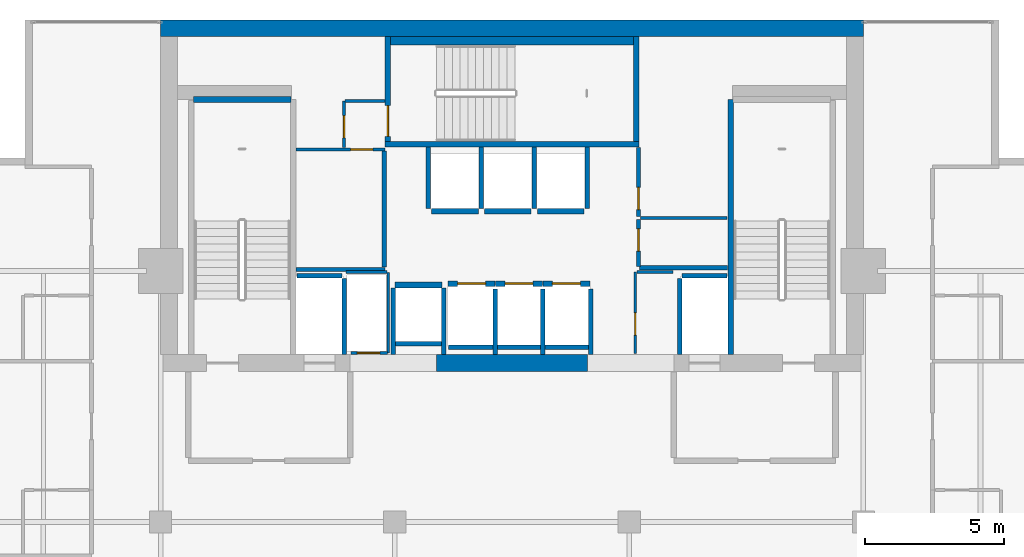
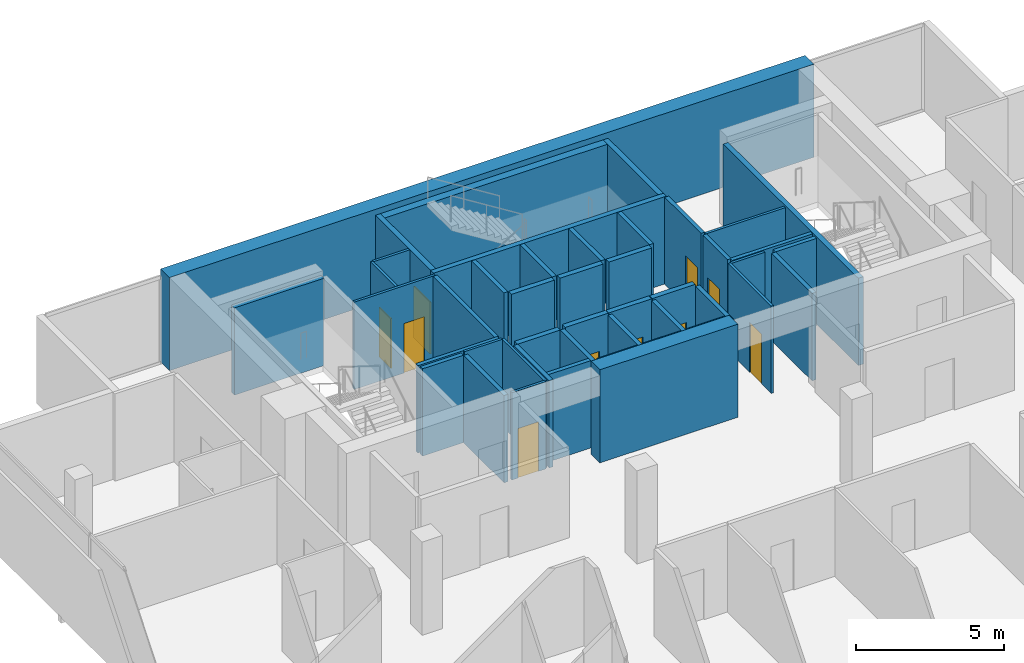
# One storey, part 22 of 25: 44 walls, 10 doors, 10 openings.
"""IFC4 building model written with IfcOpenShell, lengths in metres."""

from ifc_helpers import new_model, si_unit, direction, frame, frame_2d, origin, place, context, subcontext, project, spatial, rectangle, extrude, material, layer, layer_set, type_object, element, fill, save


model = new_model("IFC4")

# Units and contexts
model_context = context("Model", 3, precision=1e-05, world=origin(), true_north=direction((0.0, 1.0)))
body_context = subcontext(model_context, "Body", "Model", "MODEL_VIEW")
ifc_project = project(units=[si_unit("LENGTHUNIT", "METRE"), si_unit("AREAUNIT", "SQUARE_METRE"), si_unit("VOLUMEUNIT", "CUBIC_METRE"), si_unit("PLANEANGLEUNIT", "RADIAN"), si_unit("MASSUNIT", "GRAM", prefix="KILO")], contexts=[model_context])

# Site, building, storey
site_placement = place(None, origin())
site = spatial("IfcSite", under=ifc_project, at=site_placement, CompositionType="ELEMENT")
building_placement = place(site_placement, origin())
building = spatial("IfcBuilding", under=site, at=building_placement, Name="Maruvema Waterfront Hotel and Observation Tower", CompositionType="ELEMENT")
storey_placement = place(building_placement, frame((0.0, 0.0, 297.14990234375)))
storey = spatial("IfcBuildingStorey", under=building, at=storey_placement, Name="L73", CompositionType="ELEMENT", Elevation=297.14990234375)

# Walls
ifc_material_1 = material(Name="Twin-stud acoustic gypsum drywall", Category="gypsum")
ifc_layer_1 = layer(ifc_material_1, 0.14990234375, Name="Acoustic Corridor and Suite Demising Wall 150 mm")
ifc_layer_set_1 = layer_set([ifc_layer_1], Name="Twin-stud acoustic gypsum drywall")
wall_type_1 = type_object("IfcWallType", Name="Acoustic Corridor and Suite Demising Wall 150 mm", PredefinedType="PARTITIONING", material=ifc_layer_set_1)
wall_1_placement = place(storey_placement, frame((30.06005859375, 45.06005859375, 0.0), z_axis=(0.0, 0.0, 1.0), x_axis=(1.0, 0.0, 0.0)))
element("IfcWall", 1, at=wall_1_placement, inside=storey, type_object=wall_type_1, Name="L73 Freed B1 South Wall 012", PredefinedType="PARTITIONING", context=body_context, shape_type="SweptSolid", body=[
    extrude(rectangle(XDim=3.179931640625, YDim=0.14990234375, at=frame_2d((1.58984375, 0.0))), origin(), (0.0, 0.0, 1.0), 3.610107421875),
])
wall_2_placement = place(storey_placement, frame((33.219970703125, 45.139892578125, 0.0), z_axis=(0.0, 0.0, 1.0), x_axis=(0.0, 1.0, 0.0)))
element("IfcWall", 2, at=wall_2_placement, inside=storey, type_object=wall_type_1, Name="L73 Freed B1 East Wall 013", PredefinedType="PARTITIONING", context=body_context, shape_type="SweptSolid", body=[
    extrude(rectangle(XDim=4.16015625, YDim=0.14990234375, at=frame_2d((2.080078125, 0.0))), origin(), (0.0, 0.0, 1.0), 3.610107421875),
])

# Wall, opening, door
wall_3_placement = place(storey_placement, frame((42.340087890625, 45.159912109375, 0.0), z_axis=(0.0, 0.0, 1.0), x_axis=(0.0, 1.0, 0.0)))
wall_3 = element("IfcWall", 3, at=wall_3_placement, inside=storey, type_object=wall_type_1, Name="L73 Freed B2 West S 017", PredefinedType="PARTITIONING", context=body_context, shape_type="SweptSolid", body=[
    extrude(rectangle(XDim=1.68017578125, YDim=0.14990234375, at=frame_2d((0.840087890625, 0.0))), origin(), (0.0, 0.0, 1.0), 3.610107421875),
])
opening_1_placement = place(wall_3_placement, frame((0.550048828125, 0.0, 0.0)))
opening_1 = element("IfcOpeningElement", 4, at=opening_1_placement, cuts=wall_3, Name="Opening DR-080", PredefinedType="OPENING", context=body_context, shape_type="SweptSolid", body=[
    extrude(rectangle(XDim=0.800048828125, YDim=2.050048828125, at=frame_2d((0.39990234375, 1.02490234375))), frame((0.0, 0.0849609375, 0.0), z_axis=(0.0, -1.0, 0.0), x_axis=(1.0, 0.0, 0.0)), (0.0, 0.0, 1.0), 0.169921875),
])
ifc_material_2 = material(Name="Powder-coated steel access leaf", Category="steel")
door_type_1 = type_object("IfcDoorType", Name="Riser and Service Cupboard Door 800x2050 mm", OperationType="NOTDEFINED", PredefinedType="DOOR", material=ifc_material_2)
door_1_placement = place(opening_1_placement, frame((0.800048828125, 0.0, 0.0), z_axis=(0.0, 0.0, 1.0), x_axis=(-1.0, 0.0, 0.0)))
door_1 = element("IfcDoor", 5, at=door_1_placement, inside=storey, type_object=door_type_1, Name="L73 Butler Service Pantry Door", OperationType="SINGLE_SWING_LEFT", OverallHeight=2.050048828125, OverallWidth=0.800048828125, PredefinedType="DOOR", context=body_context, shape_type="SweptSolid", body=[
    extrude(rectangle(XDim=0.800048828125, YDim=2.050048828125, at=frame_2d((0.39990234375, 1.02490234375))), frame((0.0, 0.02490234375, 0.0), z_axis=(0.0, -1.0, 0.0), x_axis=(1.0, 0.0, 0.0)), (0.0, 0.0, 1.0), 0.050048828125),
])
fill(opening_1, door_1)

wall_4_placement = place(storey_placement, frame((42.340087890625, 46.9599609375, 0.0), z_axis=(0.0, 0.0, 1.0), x_axis=(0.0, 1.0, 0.0)))
wall_4 = element("IfcWall", 6, at=wall_4_placement, inside=storey, type_object=wall_type_1, Name="L73 Freed B2 West N 018", PredefinedType="PARTITIONING", context=body_context, shape_type="SweptSolid", body=[
    extrude(rectangle(XDim=2.4599609375, YDim=0.14990234375, at=frame_2d((1.22998046875, 0.0))), origin(), (0.0, 0.0, 1.0), 3.610107421875),
])
opening_2_placement = place(wall_4_placement, frame((0.239990234375, 0.0, 0.0)))
opening_2 = element("IfcOpeningElement", 7, at=opening_2_placement, cuts=wall_4, Name="Opening DR-080", PredefinedType="OPENING", context=body_context, shape_type="SweptSolid", body=[
    extrude(rectangle(XDim=0.800048828125, YDim=2.050048828125, at=frame_2d((0.39990234375, 1.02490234375))), frame((0.0, 0.0849609375, 0.0), z_axis=(0.0, -1.0, 0.0), x_axis=(1.0, 0.0, 0.0)), (0.0, 0.0, 1.0), 0.169921875),
])
door_2_placement = place(opening_2_placement, frame((0.800048828125, 0.0, 0.0), z_axis=(0.0, 0.0, 1.0), x_axis=(-1.0, 0.0, 0.0)))
door_2 = element("IfcDoor", 8, at=door_2_placement, inside=storey, type_object=door_type_1, Name="L73 Core IT and Linen Store Door", OperationType="SINGLE_SWING_RIGHT", OverallHeight=2.050048828125, OverallWidth=0.800048828125, PredefinedType="DOOR", context=body_context, shape_type="SweptSolid", body=[
    extrude(rectangle(XDim=0.800048828125, YDim=2.050048828125, at=frame_2d((0.39990234375, 1.02490234375))), frame((0.0, 0.02490234375, 0.0), z_axis=(0.0, -1.0, 0.0), x_axis=(1.0, 0.0, 0.0)), (0.0, 0.0, 1.0), 0.050048828125),
])
fill(opening_2, door_2)

# Walls
wall_5_placement = place(storey_placement, frame((42.3798828125, 45.1201171875, 0.0), z_axis=(0.0, 0.0, 1.0), x_axis=(1.0, 0.0, 0.0)))
element("IfcWall", 9, at=wall_5_placement, inside=storey, type_object=wall_type_1, Name="L73 Freed B2 South Wall 020", PredefinedType="PARTITIONING", context=body_context, shape_type="SweptSolid", body=[
    extrude(rectangle(XDim=3.14013671875, YDim=0.14990234375, at=frame_2d((1.570068359375, 0.0))), origin(), (0.0, 0.0, 1.0), 3.610107421875),
])
ifc_material_3 = material(Name="Precast concrete C45/55", Category="concrete")
ifc_layer_2 = layer(ifc_material_3, 0.300048828125, Name="Core Shaft Furring Wall 300 mm")
ifc_layer_set_2 = layer_set([ifc_layer_2], Name="Precast concrete C45/55")
wall_type_2 = type_object("IfcWallType", Name="Core Shaft Furring Wall 300 mm", PredefinedType="SOLIDWALL", material=ifc_layer_set_2)
wall_6_placement = place(storey_placement, frame((33.449951171875, 53.25, 0.0), z_axis=(0.0, 0.0, 1.0), x_axis=(1.0, 0.0, 0.0)))
element("IfcWall", 10, at=wall_6_placement, inside=storey, type_object=wall_type_2, Name="L73 Stairwell ST-02 North Furring Wall", PredefinedType="SOLIDWALL", context=body_context, shape_type="SweptSolid", body=[
    extrude(rectangle(XDim=8.699951171875, YDim=0.300048828125, at=frame_2d((4.35009765625, 0.0))), origin(), (0.0, 0.0, 1.0), 3.610107421875),
])
ifc_material_4 = material(Name="Precast concrete C45/55", Category="concrete")
ifc_layer_3 = layer(ifc_material_4, 0.199951171875, Name="Core Shaft and Stairwell Enclosure Wall 200 mm")
ifc_layer_set_3 = layer_set([ifc_layer_3], Name="Precast concrete C45/55")
wall_type_3 = type_object("IfcWallType", Name="Core Shaft and Stairwell Enclosure Wall 200 mm", PredefinedType="SOLIDWALL", material=ifc_layer_set_3)
wall_7_placement = place(storey_placement, frame((26.3798828125, 51.14990234375, 0.0), z_axis=(0.0, 0.0, 1.0), x_axis=(1.0, 0.0, 0.0)))
element("IfcWall", 11, at=wall_7_placement, inside=storey, type_object=wall_type_3, Name="L73 Stairwell ST-01 Shaft Lining Wall", PredefinedType="SOLIDWALL", context=body_context, shape_type="SweptSolid", body=[
    extrude(rectangle(XDim=3.5, YDim=0.199951171875, at=frame_2d((1.75, 0.0))), origin(), (0.0, 0.0, 1.0), 3.610107421875),
])
wall_8_placement = place(storey_placement, frame((33.25, 49.550048828125, 0.0), z_axis=(0.0, 0.0, 1.0), x_axis=(1.0, 0.0, 0.0)))
element("IfcWall", 12, at=wall_8_placement, inside=storey, type_object=wall_type_3, Name="L73 Stairwell ST-02 Shaft Wall", PredefinedType="SOLIDWALL", context=body_context, shape_type="SweptSolid", body=[
    extrude(rectangle(XDim=9.10009765625, YDim=0.199951171875, at=frame_2d((4.550048828125, 0.0))), origin(), (0.0, 0.0, 1.0), 3.610107421875),
])
wall_9_placement = place(storey_placement, frame((42.25, 49.64990234375, 0.0), z_axis=(0.0, 0.0, 1.0), x_axis=(0.0, 1.0, 0.0)))
element("IfcWall", 13, at=wall_9_placement, inside=storey, type_object=wall_type_3, Name="L73 Stairwell ST-02 Shaft Wall", PredefinedType="SOLIDWALL", context=body_context, shape_type="SweptSolid", body=[
    extrude(rectangle(XDim=3.75, YDim=0.199951171875, at=frame_2d((1.875, 0.0))), origin(), (0.0, 0.0, 1.0), 3.610107421875),
])

# Wall, opening, door
wall_10_placement = place(storey_placement, frame((33.35009765625, 49.64990234375, 0.0), z_axis=(0.0, 0.0, 1.0), x_axis=(0.0, 1.0, 0.0)))
wall_10 = element("IfcWall", 14, at=wall_10_placement, inside=storey, type_object=wall_type_3, Name="L73 Stairwell ST-02 Shaft Wall", PredefinedType="SOLIDWALL", context=body_context, shape_type="SweptSolid", body=[
    extrude(rectangle(XDim=3.75, YDim=0.199951171875, at=frame_2d((1.875, 0.0))), origin(), (0.0, 0.0, 1.0), 3.610107421875),
])
opening_3_placement = place(wall_10_placement, frame((0.179931640625, 0.0, 0.0)))
opening_3 = element("IfcOpeningElement", 15, at=opening_3_placement, cuts=wall_10, Name="Opening SD-02", PredefinedType="OPENING", context=body_context, shape_type="SweptSolid", body=[
    extrude(rectangle(XDim=1.10009765625, YDim=2.14990234375, at=frame_2d((0.550048828125, 1.074951171875))), frame((0.0, 0.10986328125, 0.0), z_axis=(0.0, -1.0, 0.0), x_axis=(1.0, 0.0, 0.0)), (0.0, 0.0, 1.0), 0.219970703125),
])
ifc_material_5 = material(Name="Fire-rated galvanised steel leaf", Category="steel")
door_type_2 = type_object("IfcDoorType", Name="Central Exit Stair Fire Door 1100x2150 mm", OperationType="NOTDEFINED", PredefinedType="DOOR", material=ifc_material_5)
door_3_placement = place(opening_3_placement, frame((1.10009765625, 0.0, 0.0), z_axis=(0.0, 0.0, 1.0), x_axis=(-1.0, 0.0, 0.0)))
door_3 = element("IfcDoor", 16, at=door_3_placement, inside=storey, type_object=door_type_2, Name="L73 Exit Stair ST-02 Fire Door", OperationType="SINGLE_SWING_LEFT", OverallHeight=2.14990234375, OverallWidth=1.10009765625, PredefinedType="DOOR", context=body_context, shape_type="SweptSolid", body=[
    extrude(rectangle(XDim=1.10009765625, YDim=2.14990234375, at=frame_2d((0.550048828125, 1.074951171875))), frame((0.0, 0.02490234375, 0.0), z_axis=(0.0, -1.0, 0.0), x_axis=(1.0, 0.0, 0.0)), (0.0, 0.0, 1.0), 0.050048828125),
])
fill(opening_3, door_3)

# Wall
wall_11_placement = place(storey_placement, frame((45.64990234375, 42.0, 0.0), z_axis=(0.0, 0.0, 1.0), x_axis=(0.0, 1.0, 0.0)))
element("IfcWall", 17, at=wall_11_placement, inside=storey, type_object=wall_type_3, Name="L73 Stairwell ST-03 West Shaft Wall", PredefinedType="SOLIDWALL", context=body_context, shape_type="SweptSolid", body=[
    extrude(rectangle(XDim=9.14990234375, YDim=0.199951171875, at=frame_2d((4.574951171875, 0.0))), origin(), (0.0, 0.0, 1.0), 3.610107421875),
])

# Wall, opening, door
wall_12_placement = place(storey_placement, frame((35.510009765625, 44.550048828125, 0.0), z_axis=(0.0, 0.0, 1.0), x_axis=(1.0, 0.0, 0.0)))
wall_12 = element("IfcWall", 18, at=wall_12_placement, inside=storey, type_object=wall_type_3, Name="L73 Lift LF-09 Hoistway Front Wall", PredefinedType="SOLIDWALL", context=body_context, shape_type="SweptSolid", body=[
    extrude(rectangle(XDim=1.679931640625, YDim=0.199951171875, at=frame_2d((0.83984375, 0.0))), origin(), (0.0, 0.0, 1.0), 3.610107421875),
])
opening_4_placement = place(wall_12_placement, frame((0.340087890625, 0.0, 0.0)))
opening_4 = element("IfcOpeningElement", 19, at=opening_4_placement, cuts=wall_12, Name="Opening LD-01", PredefinedType="OPENING", context=body_context, shape_type="SweptSolid", body=[
    extrude(rectangle(XDim=1.0, YDim=2.14990234375, at=frame_2d((0.5, 1.074951171875))), frame((0.0, 0.10986328125, 0.0), z_axis=(0.0, -1.0, 0.0), x_axis=(1.0, 0.0, 0.0)), (0.0, 0.0, 1.0), 0.219970703125),
])
ifc_material_6 = material(Name="Brushed stainless steel Grade 316", Category="steel")
door_type_3 = type_object("IfcDoorType", Name="Passenger Lift Sliding Landing Door 1000x2150 mm", OperationType="SLIDING_TO_LEFT", PredefinedType="DOOR", material=ifc_material_6)
door_4_placement = place(opening_4_placement, origin())
door_4 = element("IfcDoor", 20, at=door_4_placement, inside=storey, type_object=door_type_3, Name="L73 Lift LF-09 Sliding Landing Door", OperationType="SLIDING_TO_LEFT", OverallHeight=2.14990234375, OverallWidth=1.0, PredefinedType="DOOR", context=body_context, shape_type="SweptSolid", body=[
    extrude(rectangle(XDim=1.0, YDim=2.14990234375, at=frame_2d((0.5, 1.074951171875))), frame((0.0, 0.02490234375, 0.0), z_axis=(0.0, -1.0, 0.0), x_axis=(1.0, 0.0, 0.0)), (0.0, 0.0, 1.0), 0.050048828125),
])
fill(opening_4, door_4)

wall_13_placement = place(storey_placement, frame((37.2099609375, 44.550048828125, 0.0), z_axis=(0.0, 0.0, 1.0), x_axis=(1.0, 0.0, 0.0)))
wall_13 = element("IfcWall", 21, at=wall_13_placement, inside=storey, type_object=wall_type_3, Name="L73 Lift LF-10 Hoistway Front Wall", PredefinedType="SOLIDWALL", context=body_context, shape_type="SweptSolid", body=[
    extrude(rectangle(XDim=1.679931640625, YDim=0.199951171875, at=frame_2d((0.83984375, 0.0))), origin(), (0.0, 0.0, 1.0), 3.610107421875),
])
opening_5_placement = place(wall_13_placement, frame((0.340087890625, 0.0, 0.0)))
opening_5 = element("IfcOpeningElement", 22, at=opening_5_placement, cuts=wall_13, Name="Opening LD-01", PredefinedType="OPENING", context=body_context, shape_type="SweptSolid", body=[
    extrude(rectangle(XDim=1.0, YDim=2.14990234375, at=frame_2d((0.5, 1.074951171875))), frame((0.0, 0.10986328125, 0.0), z_axis=(0.0, -1.0, 0.0), x_axis=(1.0, 0.0, 0.0)), (0.0, 0.0, 1.0), 0.219970703125),
])
door_5_placement = place(opening_5_placement, origin())
door_5 = element("IfcDoor", 23, at=door_5_placement, inside=storey, type_object=door_type_3, Name="L73 Lift LF-10 Sliding Landing Door", OperationType="SLIDING_TO_LEFT", OverallHeight=2.14990234375, OverallWidth=1.0, PredefinedType="DOOR", context=body_context, shape_type="SweptSolid", body=[
    extrude(rectangle(XDim=1.0, YDim=2.14990234375, at=frame_2d((0.5, 1.074951171875))), frame((0.0, 0.02490234375, 0.0), z_axis=(0.0, -1.0, 0.0), x_axis=(1.0, 0.0, 0.0)), (0.0, 0.0, 1.0), 0.050048828125),
])
fill(opening_5, door_5)

wall_14_placement = place(storey_placement, frame((38.909912109375, 44.550048828125, 0.0), z_axis=(0.0, 0.0, 1.0), x_axis=(1.0, 0.0, 0.0)))
wall_14 = element("IfcWall", 24, at=wall_14_placement, inside=storey, type_object=wall_type_3, Name="L73 Lift LF-11 Hoistway Front Wall", PredefinedType="SOLIDWALL", context=body_context, shape_type="SweptSolid", body=[
    extrude(rectangle(XDim=1.68017578125, YDim=0.199951171875, at=frame_2d((0.840087890625, 0.0))), origin(), (0.0, 0.0, 1.0), 3.610107421875),
])
opening_6_placement = place(wall_14_placement, frame((0.340087890625, 0.0, 0.0)))
opening_6 = element("IfcOpeningElement", 25, at=opening_6_placement, cuts=wall_14, Name="Opening LD-01", PredefinedType="OPENING", context=body_context, shape_type="SweptSolid", body=[
    extrude(rectangle(XDim=1.0, YDim=2.14990234375, at=frame_2d((0.5, 1.074951171875))), frame((0.0, 0.10986328125, 0.0), z_axis=(0.0, -1.0, 0.0), x_axis=(1.0, 0.0, 0.0)), (0.0, 0.0, 1.0), 0.219970703125),
])
door_6_placement = place(opening_6_placement, origin())
door_6 = element("IfcDoor", 26, at=door_6_placement, inside=storey, type_object=door_type_3, Name="L73 Lift LF-11 Sliding Landing Door", OperationType="SLIDING_TO_LEFT", OverallHeight=2.14990234375, OverallWidth=1.0, PredefinedType="DOOR", context=body_context, shape_type="SweptSolid", body=[
    extrude(rectangle(XDim=1.0, YDim=2.14990234375, at=frame_2d((0.5, 1.074951171875))), frame((0.0, 0.02490234375, 0.0), z_axis=(0.0, -1.0, 0.0), x_axis=(1.0, 0.0, 0.0)), (0.0, 0.0, 1.0), 0.050048828125),
])
fill(opening_6, door_6)

# Walls
wall_15_placement = place(storey_placement, frame((34.909912109375, 47.14990234375, 0.0), z_axis=(0.0, 0.0, 1.0), x_axis=(1.0, 0.0, 0.0)))
element("IfcWall", 27, at=wall_15_placement, inside=storey, type_object=wall_type_3, Name="L73 Lift LF-12 Hoistway Front Wall", PredefinedType="SOLIDWALL", context=body_context, shape_type="SweptSolid", body=[
    extrude(rectangle(XDim=1.68017578125, YDim=0.199951171875, at=frame_2d((0.840087890625, 0.0))), origin(), (0.0, 0.0, 1.0), 3.610107421875),
])
for number, where, z_axis, x_axis, name in (
    (28, (36.81005859375, 47.14990234375, 0.0), (0.0, 0.0, 1.0), (1.0, 0.0, 0.0), "L73 Lift LF-13 Hoistway Front Wall"),
    (29, (38.7099609375, 47.14990234375, 0.0), (0.0, 0.0, 1.0), (1.0, 0.0, 0.0), "L73 Lift LF-14 Hoistway Front Wall"),
    (30, (33.610107421875, 44.5, 0.0), (0.0, 0.0, 1.0), (1.0, 0.0, 0.0), "L73 Lift LF-15 Hoistway Front Wall"),
):
    element("IfcWall", number, at=place(storey_placement, frame(where, z_axis=z_axis, x_axis=x_axis)), inside=storey, type_object=wall_type_3, Name=name, PredefinedType="SOLIDWALL", context=body_context, shape_type="SweptSolid", body=[
        extrude(rectangle(XDim=1.679931640625, YDim=0.199951171875, at=frame_2d((0.83984375, 0.0))), origin(), (0.0, 0.0, 1.0), 3.610107421875),
    ])
ifc_material_7 = material(Name="Concrete C60/75", Category="concrete")
ifc_layer_4 = layer(ifc_material_7, 0.60009765625, Name="Core Shear Wall 600 mm")
ifc_layer_set_4 = layer_set([ifc_layer_4], Name="Concrete C60/75")
wall_type_4 = type_object("IfcWallType", Name="Core Shear Wall 600 mm", PredefinedType="SHEAR", material=ifc_layer_set_4)
wall_16_placement = place(storey_placement, frame((25.199951171875, 53.699951171875, 0.0), z_axis=(0.0, 0.0, 1.0), x_axis=(1.0, 0.0, 0.0)))
element("IfcWall", 31, at=wall_16_placement, inside=storey, type_object=wall_type_4, Name="L73 North Core Shear Wall", PredefinedType="SHEAR", context=body_context, shape_type="SweptSolid", body=[
    extrude(rectangle(XDim=25.199951171875, YDim=0.60009765625, at=frame_2d((12.60009765625, 0.0))), origin(), (0.0, 0.0, 1.0), 3.85009765625),
])
wall_17_placement = place(storey_placement, frame((35.10009765625, 41.699951171875, 0.0), z_axis=(0.0, 0.0, 1.0), x_axis=(1.0, 0.0, 0.0)))
element("IfcWall", 32, at=wall_17_placement, inside=storey, type_object=wall_type_4, Name="L73 South-Central Core Shear Wall", PredefinedType="SHEAR", context=body_context, shape_type="SweptSolid", body=[
    extrude(rectangle(XDim=5.39990234375, YDim=0.60009765625, at=frame_2d((2.699951171875, 0.0))), origin(), (0.0, 0.0, 1.0), 3.85009765625),
])

# Wall, opening, door
ifc_material_8 = material(Name="Moisture-resistant cement-board drywall", Category="gypsum")
ifc_layer_5 = layer(ifc_material_8, 0.10009765625, Name="En-Suite Moisture-Resistant Partition 100 mm")
ifc_layer_set_5 = layer_set([ifc_layer_5], Name="Moisture-resistant cement-board drywall")
wall_type_5 = type_object("IfcWallType", Name="En-Suite Moisture-Resistant Partition 100 mm", PredefinedType="PARTITIONING", material=ifc_layer_set_5)
wall_18_placement = place(storey_placement, frame((32.02001953125, 42.06005859375, 0.0), z_axis=(0.0, 0.0, 1.0), x_axis=(1.0, 0.0, 0.0)))
wall_18 = element("IfcWall", 33, at=wall_18_placement, inside=storey, type_object=wall_type_5, Name="L73 Telecom Riser South Wall 007", PredefinedType="PARTITIONING", context=body_context, shape_type="SweptSolid", body=[
    extrude(rectangle(XDim=1.320068359375, YDim=0.10009765625, at=frame_2d((0.66015625, 0.0))), origin(), (0.0, 0.0, 1.0), 3.610107421875),
])
opening_7_placement = place(wall_18_placement, frame((0.239990234375, 0.0, 0.0)))
opening_7 = element("IfcOpeningElement", 34, at=opening_7_placement, cuts=wall_18, Name="Opening DR-080", PredefinedType="OPENING", context=body_context, shape_type="SweptSolid", body=[
    extrude(rectangle(XDim=0.800048828125, YDim=2.050048828125, at=frame_2d((0.39990234375, 1.02490234375))), frame((0.0, 0.06005859375, 0.0), z_axis=(0.0, -1.0, 0.0), x_axis=(1.0, 0.0, 0.0)), (0.0, 0.0, 1.0), 0.1201171875),
])
door_7_placement = place(opening_7_placement, frame((0.800048828125, 0.0, 0.0), z_axis=(0.0, 0.0, 1.0), x_axis=(-1.0, 0.0, 0.0)))
door_7 = element("IfcDoor", 35, at=door_7_placement, inside=storey, type_object=door_type_1, Name="L73 Telecom Riser Door", OperationType="SINGLE_SWING_LEFT", OverallHeight=2.050048828125, OverallWidth=0.800048828125, PredefinedType="DOOR", context=body_context, shape_type="SweptSolid", body=[
    extrude(rectangle(XDim=0.800048828125, YDim=2.050048828125, at=frame_2d((0.39990234375, 1.02490234375))), frame((0.0, 0.02490234375, 0.0), z_axis=(0.0, -1.0, 0.0), x_axis=(1.0, 0.0, 0.0)), (0.0, 0.0, 1.0), 0.050048828125),
])
fill(opening_7, door_7)

# Walls
wall_19_placement = place(storey_placement, frame((31.840087890625, 44.9599609375, 0.0), z_axis=(0.0, 0.0, 1.0), x_axis=(1.0, 0.0, 0.0)))
element("IfcWall", 36, at=wall_19_placement, inside=storey, type_object=wall_type_5, Name="L73 Telecom Riser North Wall 008", PredefinedType="PARTITIONING", context=body_context, shape_type="SweptSolid", body=[
    extrude(rectangle(XDim=1.47998046875, YDim=0.10009765625, at=frame_2d((0.739990234375, 0.0))), origin(), (0.0, 0.0, 1.0), 3.610107421875),
])
wall_20_placement = place(storey_placement, frame((33.360107421875, 42.06005859375, 0.0), z_axis=(0.0, 0.0, 1.0), x_axis=(0.0, 1.0, 0.0)))
element("IfcWall", 37, at=wall_20_placement, inside=storey, type_object=wall_type_5, Name="L73 Telecom Riser East Wall 009", PredefinedType="PARTITIONING", context=body_context, shape_type="SweptSolid", body=[
    extrude(rectangle(XDim=2.8798828125, YDim=0.10009765625, at=frame_2d((1.43994140625, 0.0))), origin(), (0.0, 0.0, 1.0), 3.610107421875),
])

# Wall, opening, door
wall_21_placement = place(storey_placement, frame((42.219970703125, 42.050048828125, 0.0), z_axis=(0.0, 0.0, 1.0), x_axis=(0.0, 1.0, 0.0)))
wall_21 = element("IfcWall", 38, at=wall_21_placement, inside=storey, type_object=wall_type_5, Name="L73 Core Closet K1 West 010", PredefinedType="PARTITIONING", context=body_context, shape_type="SweptSolid", body=[
    extrude(rectangle(XDim=2.909912109375, YDim=0.10009765625, at=frame_2d((1.455078125, 0.0))), origin(), (0.0, 0.0, 1.0), 3.610107421875),
])
opening_8_placement = place(wall_21_placement, frame((0.64990234375, 0.0, 0.0)))
opening_8 = element("IfcOpeningElement", 39, at=opening_8_placement, cuts=wall_21, Name="Opening DR-080", PredefinedType="OPENING", context=body_context, shape_type="SweptSolid", body=[
    extrude(rectangle(XDim=0.800048828125, YDim=2.050048828125, at=frame_2d((0.39990234375, 1.02490234375))), frame((0.0, 0.06005859375, 0.0), z_axis=(0.0, -1.0, 0.0), x_axis=(1.0, 0.0, 0.0)), (0.0, 0.0, 1.0), 0.1201171875),
])
door_8_placement = place(opening_8_placement, frame((0.800048828125, 0.0, 0.0), z_axis=(0.0, 0.0, 1.0), x_axis=(-1.0, 0.0, 0.0)))
door_8 = element("IfcDoor", 40, at=door_8_placement, inside=storey, type_object=door_type_1, Name="L73 Core Cleaning Store Door", OperationType="SINGLE_SWING_RIGHT", OverallHeight=2.050048828125, OverallWidth=0.800048828125, PredefinedType="DOOR", context=body_context, shape_type="SweptSolid", body=[
    extrude(rectangle(XDim=0.800048828125, YDim=2.050048828125, at=frame_2d((0.39990234375, 1.02490234375))), frame((0.0, 0.02490234375, 0.0), z_axis=(0.0, -1.0, 0.0), x_axis=(1.0, 0.0, 0.0)), (0.0, 0.0, 1.0), 0.050048828125),
])
fill(opening_8, door_8)

# Wall
wall_22_placement = place(storey_placement, frame((42.280029296875, 44.9599609375, 0.0), z_axis=(0.0, 0.0, 1.0), x_axis=(1.0, 0.0, 0.0)))
element("IfcWall", 41, at=wall_22_placement, inside=storey, type_object=wall_type_5, Name="L73 Core Closet K1 North 011", PredefinedType="PARTITIONING", context=body_context, shape_type="SweptSolid", body=[
    extrude(rectangle(XDim=1.300048828125, YDim=0.10009765625, at=frame_2d((0.64990234375, 0.0))), origin(), (0.0, 0.0, 1.0), 3.610107421875),
])

# Wall, opening, door
wall_23_placement = place(storey_placement, frame((30.06005859375, 49.360107421875, 0.0), z_axis=(0.0, 0.0, 1.0), x_axis=(1.0, 0.0, 0.0)))
wall_23 = element("IfcWall", 42, at=wall_23_placement, inside=storey, type_object=wall_type_5, Name="L73 Freed B1 Mid Wall 014", PredefinedType="PARTITIONING", context=body_context, shape_type="SweptSolid", body=[
    extrude(rectangle(XDim=3.179931640625, YDim=0.10009765625, at=frame_2d((1.58984375, 0.0))), origin(), (0.0, 0.0, 1.0), 3.610107421875),
])
opening_9_placement = place(wall_23_placement, frame((1.949951171875, 0.0, 0.0)))
opening_9 = element("IfcOpeningElement", 43, at=opening_9_placement, cuts=wall_23, Name="Opening DR-080", PredefinedType="OPENING", context=body_context, shape_type="SweptSolid", body=[
    extrude(rectangle(XDim=0.800048828125, YDim=2.050048828125, at=frame_2d((0.39990234375, 1.02490234375))), frame((0.0, 0.06005859375, 0.0), z_axis=(0.0, -1.0, 0.0), x_axis=(1.0, 0.0, 0.0)), (0.0, 0.0, 1.0), 0.1201171875),
])
door_9_placement = place(opening_9_placement, origin())
door_9 = element("IfcDoor", 44, at=door_9_placement, inside=storey, type_object=door_type_1, Name="L73 Housekeeping and Linen Room Door", OperationType="SINGLE_SWING_LEFT", OverallHeight=2.050048828125, OverallWidth=0.800048828125, PredefinedType="DOOR", context=body_context, shape_type="SweptSolid", body=[
    extrude(rectangle(XDim=0.800048828125, YDim=2.050048828125, at=frame_2d((0.39990234375, 1.02490234375))), frame((0.0, 0.02490234375, 0.0), z_axis=(0.0, -1.0, 0.0), x_axis=(1.0, 0.0, 0.0)), (0.0, 0.0, 1.0), 0.050048828125),
])
fill(opening_9, door_9)

wall_24_placement = place(storey_placement, frame((31.780029296875, 49.419921875, 0.0), z_axis=(0.0, 0.0, 1.0), x_axis=(0.0, 1.0, 0.0)))
wall_24 = element("IfcWall", 45, at=wall_24_placement, inside=storey, type_object=wall_type_5, Name="L73 Freed B1 NW East Wall 015", PredefinedType="PARTITIONING", context=body_context, shape_type="SweptSolid", body=[
    extrude(rectangle(XDim=1.68017578125, YDim=0.10009765625, at=frame_2d((0.840087890625, 0.0))), origin(), (0.0, 0.0, 1.0), 3.610107421875),
])
opening_10_placement = place(wall_24_placement, frame((0.35009765625, 0.0, 0.0)))
opening_10 = element("IfcOpeningElement", 46, at=opening_10_placement, cuts=wall_24, Name="Opening DR-080", PredefinedType="OPENING", context=body_context, shape_type="SweptSolid", body=[
    extrude(rectangle(XDim=0.800048828125, YDim=2.050048828125, at=frame_2d((0.39990234375, 1.02490234375))), frame((0.0, 0.06005859375, 0.0), z_axis=(0.0, -1.0, 0.0), x_axis=(1.0, 0.0, 0.0)), (0.0, 0.0, 1.0), 0.1201171875),
])
door_10_placement = place(opening_10_placement, origin())
door_10 = element("IfcDoor", 47, at=door_10_placement, inside=storey, type_object=door_type_1, Name="L73 Guest Floor Pantry Door", OperationType="SINGLE_SWING_RIGHT", OverallHeight=2.050048828125, OverallWidth=0.800048828125, PredefinedType="DOOR", context=body_context, shape_type="SweptSolid", body=[
    extrude(rectangle(XDim=0.800048828125, YDim=2.050048828125, at=frame_2d((0.39990234375, 1.02490234375))), frame((0.0, 0.02490234375, 0.0), z_axis=(0.0, -1.0, 0.0), x_axis=(1.0, 0.0, 0.0)), (0.0, 0.0, 1.0), 0.050048828125),
])
fill(opening_10, door_10)

# Walls
wall_25_placement = place(storey_placement, frame((31.820068359375, 51.10009765625, 0.0), z_axis=(0.0, 0.0, 1.0), x_axis=(1.0, 0.0, 0.0)))
element("IfcWall", 48, at=wall_25_placement, inside=storey, type_object=wall_type_5, Name="L73 Freed B1 Vestibule North Wall 016", PredefinedType="PARTITIONING", context=body_context, shape_type="SweptSolid", body=[
    extrude(rectangle(XDim=1.419921875, YDim=0.10009765625, at=frame_2d((0.7099609375, 0.0))), origin(), (0.0, 0.0, 1.0), 3.610107421875),
])
wall_26_placement = place(storey_placement, frame((42.39990234375, 46.89990234375, 0.0), z_axis=(0.0, 0.0, 1.0), x_axis=(1.0, 0.0, 0.0)))
element("IfcWall", 49, at=wall_26_placement, inside=storey, type_object=wall_type_5, Name="L73 Freed B2 Split 019", PredefinedType="PARTITIONING", context=body_context, shape_type="SweptSolid", body=[
    extrude(rectangle(XDim=3.10009765625, YDim=0.10009765625, at=frame_2d((1.550048828125, 0.0))), origin(), (0.0, 0.0, 1.0), 3.610107421875),
])
ifc_material_9 = material(Name="Precast concrete C45/55", Category="concrete")
ifc_layer_6 = layer(ifc_material_9, 0.159912109375, Name="Lift Hoistway Divider Wall 160 mm")
ifc_layer_set_6 = layer_set([ifc_layer_6], Name="Precast concrete C45/55")
wall_type_6 = type_object("IfcWallType", Name="Lift Hoistway Divider Wall 160 mm", PredefinedType="SOLIDWALL", material=ifc_layer_set_6)
wall_27_placement = place(storey_placement, frame((30.10009765625, 44.830078125, 0.0), z_axis=(0.0, 0.0, 1.0), x_axis=(1.0, 0.0, 0.0)))
element("IfcWall", 50, at=wall_27_placement, inside=storey, type_object=wall_type_6, Name="L73 Lift FL-01 Rear Hoistway Wall", PredefinedType="SOLIDWALL", context=body_context, shape_type="SweptSolid", body=[
    extrude(rectangle(XDim=1.599853515625, YDim=0.159912109375, at=frame_2d((0.7998046875, 0.0))), origin(), (0.0, 0.0, 1.0), 3.610107421875),
])
wall_28_placement = place(storey_placement, frame((31.780029296875, 42.0, 0.0), z_axis=(0.0, 0.0, 1.0), x_axis=(0.0, 1.0, 0.0)))
element("IfcWall", 51, at=wall_28_placement, inside=storey, type_object=wall_type_6, Name="L73 Lift FL-01 Inner Hoistway Wall", PredefinedType="SOLIDWALL", context=body_context, shape_type="SweptSolid", body=[
    extrude(rectangle(XDim=2.739990234375, YDim=0.159912109375, at=frame_2d((1.3701171875, 0.0))), origin(), (0.0, 0.0, 1.0), 3.610107421875),
])
wall_29_placement = place(storey_placement, frame((43.89990234375, 44.830078125, 0.0), z_axis=(0.0, 0.0, 1.0), x_axis=(1.0, 0.0, 0.0)))
element("IfcWall", 52, at=wall_29_placement, inside=storey, type_object=wall_type_6, Name="L73 Lift FL-02 Rear Hoistway Wall", PredefinedType="SOLIDWALL", context=body_context, shape_type="SweptSolid", body=[
    extrude(rectangle(XDim=1.60009765625, YDim=0.159912109375, at=frame_2d((0.800048828125, 0.0))), origin(), (0.0, 0.0, 1.0), 3.610107421875),
])
wall_30_placement = place(storey_placement, frame((43.820068359375, 42.0, 0.0), z_axis=(0.0, 0.0, 1.0), x_axis=(0.0, 1.0, 0.0)))
element("IfcWall", 53, at=wall_30_placement, inside=storey, type_object=wall_type_6, Name="L73 Lift FL-02 Inner Hoistway Wall", PredefinedType="SOLIDWALL", context=body_context, shape_type="SweptSolid", body=[
    extrude(rectangle(XDim=2.739990234375, YDim=0.159912109375, at=frame_2d((1.3701171875, 0.0))), origin(), (0.0, 0.0, 1.0), 3.610107421875),
])
for number, where, z_axis, x_axis, name in (
    (54, (37.199951171875, 42.0, 0.0), (0.0, 0.0, 1.0), (0.0, 1.0, 0.0), "L73 Hoistway Divider Wall"),
    (55, (38.89990234375, 42.0, 0.0), (0.0, 0.0, 1.0), (0.0, 1.0, 0.0), "L73 Hoistway Divider Wall"),
    (56, (40.6201171875, 42.0, 0.0), (0.0, 0.0, 1.0), (0.0, 1.0, 0.0), "L73 Hoistway Divider Wall"),
):
    element("IfcWall", number, at=place(storey_placement, frame(where, z_axis=z_axis, x_axis=x_axis)), inside=storey, type_object=wall_type_6, Name=name, PredefinedType="SOLIDWALL", context=body_context, shape_type="SweptSolid", body=[
        extrude(rectangle(XDim=2.35009765625, YDim=0.159912109375, at=frame_2d((1.175048828125, 0.0))), origin(), (0.0, 0.0, 1.0), 3.610107421875),
    ])
wall_31_placement = place(storey_placement, frame((35.52001953125, 42.260009765625, 0.0), z_axis=(0.0, 0.0, 1.0), x_axis=(1.0, 0.0, 0.0)))
element("IfcWall", 57, at=wall_31_placement, inside=storey, type_object=wall_type_6, Name="L73 Hoistway Divider Wall", PredefinedType="SOLIDWALL", context=body_context, shape_type="SweptSolid", body=[
    extrude(rectangle(XDim=5.02001953125, YDim=0.159912109375, at=frame_2d((2.510009765625, 0.0))), origin(), (0.0, 0.0, 1.0), 3.610107421875),
])
for number, where, z_axis, x_axis, name in (
    (58, (34.800048828125, 47.25, 0.0), (0.0, 0.0, 1.0), (0.0, 1.0, 0.0), "L73 Hoistway Divider Wall"),
    (59, (36.699951171875, 47.25, 0.0), (0.0, 0.0, 1.0), (0.0, 1.0, 0.0), "L73 Hoistway Divider Wall"),
    (60, (38.60009765625, 47.25, 0.0), (0.0, 0.0, 1.0), (0.0, 1.0, 0.0), "L73 Hoistway Divider Wall"),
    (61, (40.5, 47.25, 0.0), (0.0, 0.0, 1.0), (0.0, 1.0, 0.0), "L73 Hoistway Divider Wall"),
):
    element("IfcWall", number, at=place(storey_placement, frame(where, z_axis=z_axis, x_axis=x_axis)), inside=storey, type_object=wall_type_6, Name=name, PredefinedType="SOLIDWALL", context=body_context, shape_type="SweptSolid", body=[
        extrude(rectangle(XDim=2.18994140625, YDim=0.159912109375, at=frame_2d((1.094970703125, 0.0))), origin(), (0.0, 0.0, 1.0), 3.610107421875),
    ])
for number, where, z_axis, x_axis, name in (
    (62, (33.5400390625, 42.0, 0.0), (0.0, 0.0, 1.0), (0.0, 1.0, 0.0), "L73 Hoistway Divider Wall"),
    (63, (35.360107421875, 42.0, 0.0), (0.0, 0.0, 1.0), (0.0, 1.0, 0.0), "L73 Hoistway Divider Wall"),
):
    element("IfcWall", number, at=place(storey_placement, frame(where, z_axis=z_axis, x_axis=x_axis)), inside=storey, type_object=wall_type_6, Name=name, PredefinedType="SOLIDWALL", context=body_context, shape_type="SweptSolid", body=[
        extrude(rectangle(XDim=2.39990234375, YDim=0.159912109375, at=frame_2d((1.199951171875, 0.0))), origin(), (0.0, 0.0, 1.0), 3.610107421875),
    ])
wall_32_placement = place(storey_placement, frame((33.6201171875, 42.39990234375, 0.0), z_axis=(0.0, 0.0, 1.0), x_axis=(1.0, 0.0, 0.0)))
element("IfcWall", 64, at=wall_32_placement, inside=storey, type_object=wall_type_6, Name="L73 Hoistway Divider Wall", PredefinedType="SOLIDWALL", context=body_context, shape_type="SweptSolid", body=[
    extrude(rectangle(XDim=1.659912109375, YDim=0.159912109375, at=frame_2d((0.830078125, 0.0))), origin(), (0.0, 0.0, 1.0), 3.610107421875),
])

save(model, "model.ifc")
